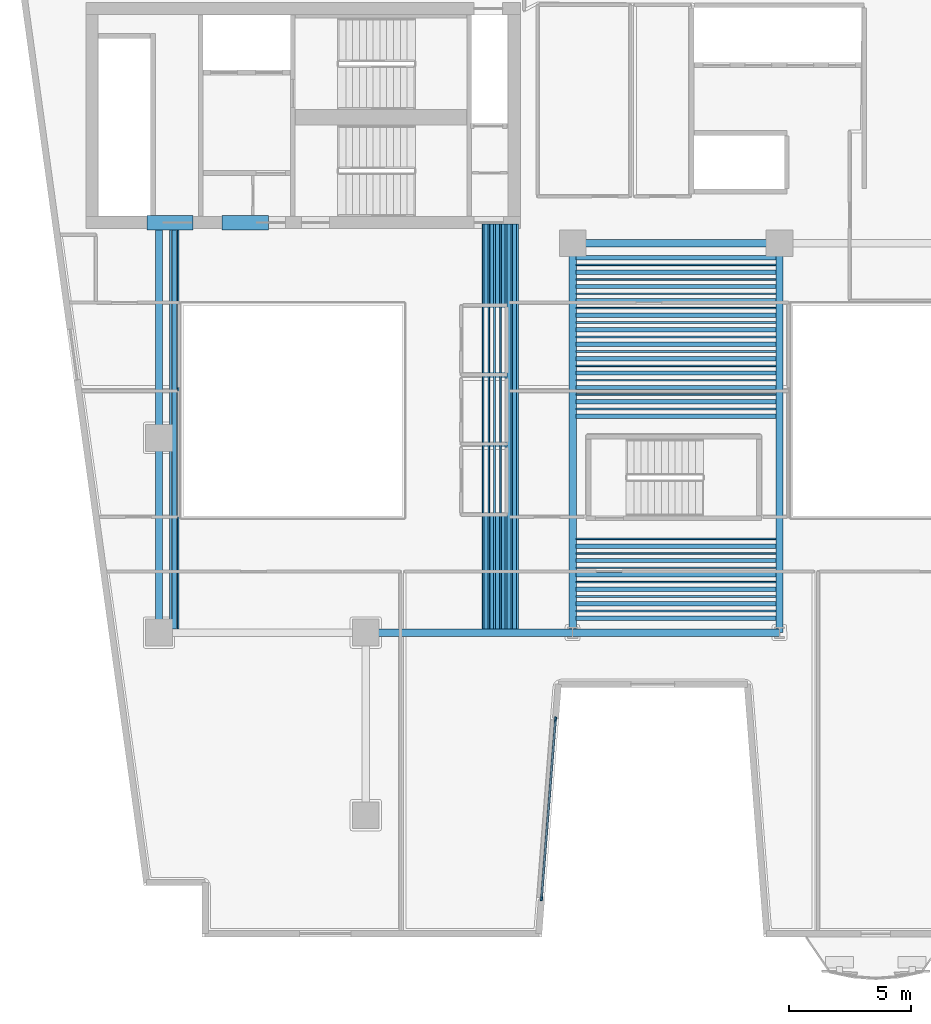
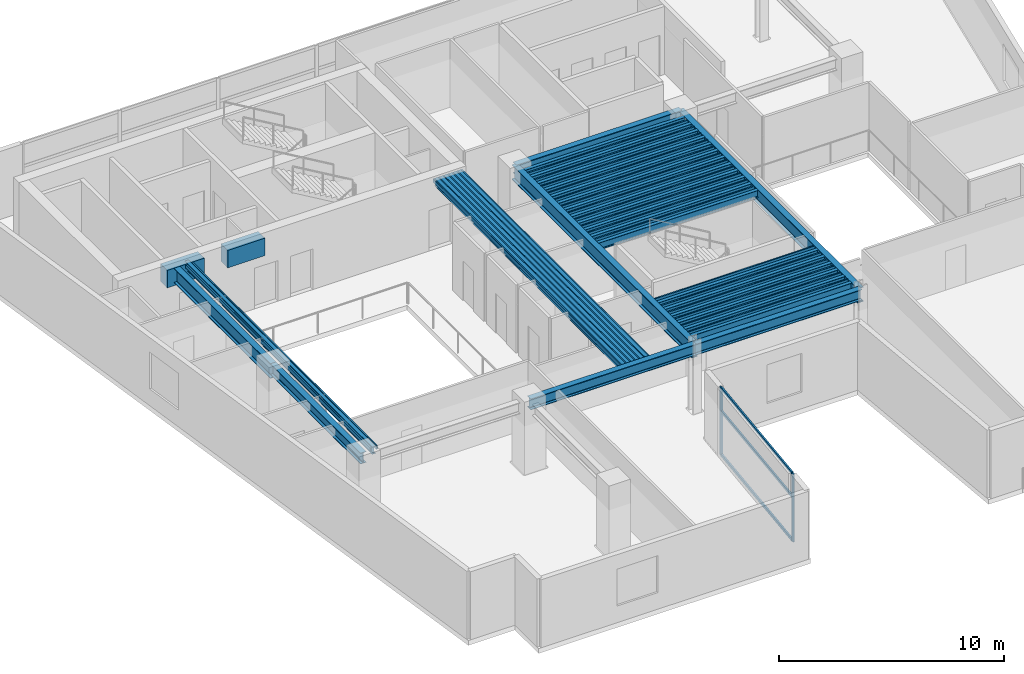
# One storey, part 2 of 13: 60 beams, 5 members, 1 element without a shape of its own.
"""IFC4 building model written with IfcOpenShell, lengths in metres."""

from ifc_helpers import new_model, si_unit, direction, frame, origin, origin_2d, place, context, subcontext, project, spatial, rectangle, hollow_rectangle, i_section, extrude, material, layer, layer_set, material_profile, profile_set, type_object, element, aggregate, save


model = new_model("IFC4")

# Units and contexts
model_context = context("Model", 3, precision=1e-05, world=origin(), true_north=direction((0.0, 1.0)))
body_context = subcontext(model_context, "Body", "Model", "MODEL_VIEW")
ifc_project = project(units=[si_unit("LENGTHUNIT", "METRE"), si_unit("AREAUNIT", "SQUARE_METRE"), si_unit("VOLUMEUNIT", "CUBIC_METRE"), si_unit("PLANEANGLEUNIT", "RADIAN"), si_unit("MASSUNIT", "GRAM", prefix="KILO")], contexts=[model_context])

# Site, building, storey
site_placement = place(None, origin())
site = spatial("IfcSite", under=ifc_project, at=site_placement, CompositionType="ELEMENT")
building_placement = place(site_placement, origin())
building = spatial("IfcBuilding", under=site, at=building_placement, Name="Caeloran Harvest Quay", CompositionType="ELEMENT")
storey_placement = place(building_placement, frame((0.0, 0.0, 135.10009765625)))
storey = spatial("IfcBuildingStorey", under=building, at=storey_placement, Name="L31", CompositionType="ELEMENT", Elevation=135.10009765625)

# Beams
ifc_material_1 = material(Name="Concrete C60/75", Category="concrete")
ifc_material_profile_1 = material_profile(ifc_material_1, rectangle(XDim=0.60009765625, YDim=0.949951171875, at=origin_2d()), Name="RC 600x950")
ifc_profile_set_1 = profile_set([ifc_material_profile_1], Name="Concrete C60/75")
beam_type_1 = type_object("IfcBeamType", Name="BM-CB-2-RC_600x950", PredefinedType="LINTEL", material=ifc_profile_set_1)
for number, where, z_axis, x_axis, name in (
    (1, (8.0, 31.85009765625, 3.21484375), (1.0, 0.0, 0.0), (0.0, 1.0, 0.0), "L31 Core Coupling Beam 1"),
    (2, (11.10009765625, 31.85009765625, 3.21484375), (1.0, 0.0, 0.0), (0.0, 1.0, 0.0), "L31 Core Coupling Beam 2"),
):
    element("IfcBeam", number, at=place(storey_placement, frame(where, z_axis=z_axis, x_axis=x_axis)), inside=storey, type_object=beam_type_1, Name=name, PredefinedType="LINTEL", context=body_context, shape_type="SweptSolid", body=[
        extrude(rectangle(XDim=0.60009765625, YDim=0.949951171875, at=origin_2d()), origin(), (0.0, 0.0, 1.0), 1.89990234375),
    ])
ifc_material_2 = material(Name="Steel S355J2", Category="steel")
ifc_material_profile_2 = material_profile(ifc_material_2, i_section(OverallWidth=0.300048828125, OverallDepth=0.800048828125, WebThickness=0.017578125, FlangeThickness=0.032958984375, FilletRadius=0.030029296875, at=origin_2d()), Name="HE 800 B")
ifc_profile_set_2 = profile_set([ifc_material_profile_2], Name="Steel S355J2")
beam_type_2 = type_object("IfcBeamType", Name="BM-PG-1-HE_800_B", PredefinedType="BEAM", material=ifc_profile_set_2)
beam_1_placement = place(storey_placement, frame((8.5, 23.0, 3.289794921875), z_axis=(0.0, 1.0, 0.0), x_axis=(-1.0, 0.0, 0.0)))
element("IfcBeam", 3, at=beam_1_placement, inside=storey, type_object=beam_type_2, Name="L31 Core South Tie Girder X=8.5", PredefinedType="BEAM", context=body_context, shape_type="SweptSolid", body=[
    extrude(i_section(OverallWidth=0.300048828125, OverallDepth=0.800048828125, WebThickness=0.017578125, FlangeThickness=0.032958984375, FilletRadius=0.030029296875, at=origin_2d()), origin(), (0.0, 0.0, 1.0), 8.800048828125),
])
for number, where, z_axis, x_axis, name in (
    (4, (25.5, 15.0, 3.289794921875), (0.0, 1.0, 0.0), (-1.0, 0.0, 0.0), "L31 Primary North-South Girder X=25.5"),
    (5, (34.0, 15.0, 3.289794921875), (0.0, 1.0, 0.0), (-1.0, 0.0, 0.0), "L31 Primary North-South Girder X=34.0"),
):
    element("IfcBeam", number, at=place(storey_placement, frame(where, z_axis=z_axis, x_axis=x_axis)), inside=storey, type_object=beam_type_2, Name=name, PredefinedType="BEAM", context=body_context, shape_type="SweptSolid", body=[
        extrude(i_section(OverallWidth=0.300048828125, OverallDepth=0.800048828125, WebThickness=0.017578125, FlangeThickness=0.032958984375, FilletRadius=0.030029296875, at=origin_2d()), origin(), (0.0, 0.0, 1.0), 16.0),
    ])
ifc_material_profile_3 = material_profile(ifc_material_2, i_section(OverallWidth=0.300048828125, OverallDepth=0.60009765625, WebThickness=0.015380859375, FlangeThickness=0.030029296875, FilletRadius=0.027099609375, at=origin_2d()), Name="HE 600 B")
ifc_profile_set_3 = profile_set([ifc_material_profile_3], Name="Steel S355J2")
beam_type_3 = type_object("IfcBeamType", Name="BM-PG-3-HE_600_B", PredefinedType="BEAM", material=ifc_profile_set_3)
for number, where, z_axis, x_axis, name in (
    (6, (17.0, 15.0, 3.389892578125), (1.0, 0.0, 0.0), (0.0, 1.0, 0.0), "L31 Primary East-West Girder Y=15.0"),
    (7, (25.5, 15.0, 3.389892578125), (1.0, 0.0, 0.0), (0.0, 1.0, 0.0), "L31 Primary East-West Girder Y=15.0"),
    (8, (25.5, 31.0, 3.389892578125), (1.0, 0.0, 0.0), (0.0, 1.0, 0.0), "L31 Primary East-West Girder Y=31.0"),
):
    element("IfcBeam", number, at=place(storey_placement, frame(where, z_axis=z_axis, x_axis=x_axis)), inside=storey, type_object=beam_type_3, Name=name, PredefinedType="BEAM", context=body_context, shape_type="SweptSolid", body=[
        extrude(i_section(OverallWidth=0.300048828125, OverallDepth=0.60009765625, WebThickness=0.015380859375, FlangeThickness=0.030029296875, FilletRadius=0.027099609375, at=origin_2d()), origin(), (0.0, 0.0, 1.0), 8.5),
    ])
beam_2_placement = place(storey_placement, frame((8.5, 15.0, 3.389892578125), z_axis=(0.0, 1.0, 0.0), x_axis=(-1.0, 0.0, 0.0)))
element("IfcBeam", 9, at=beam_2_placement, inside=storey, type_object=beam_type_3, Name="L31 Primary North-South Girder X=8.5", PredefinedType="BEAM", context=body_context, shape_type="SweptSolid", body=[
    extrude(i_section(OverallWidth=0.300048828125, OverallDepth=0.60009765625, WebThickness=0.015380859375, FlangeThickness=0.030029296875, FilletRadius=0.027099609375, at=origin_2d()), origin(), (0.0, 0.0, 1.0), 8.0),
])
ifc_material_profile_4 = material_profile(ifc_material_2, i_section(OverallWidth=0.179931640625, OverallDepth=0.39990234375, WebThickness=0.008544921875, FlangeThickness=0.013427734375, FilletRadius=0.02099609375, at=origin_2d()), Name="IPE 400")
ifc_profile_set_4 = profile_set([ifc_material_profile_4], Name="Steel S355J2")
beam_type_4 = type_object("IfcBeamType", Name="BM-SB-4-IPE_400", PredefinedType="JOIST", material=ifc_profile_set_4)
for number, where, z_axis, x_axis, name in (
    (10, (9.129638671875, 15.14501953125, 3.489990234375), (0.0, 1.0, 0.0), (-1.0, 0.0, 0.0), "L31 Secondary Composite Joist"),
    (11, (21.93896484375, 15.14501953125, 3.489990234375), (0.0, 1.0, 0.0), (-1.0, 0.0, 0.0), "L31 Secondary Composite Joist"),
    (12, (22.174072265625, 15.14501953125, 3.489990234375), (0.0, 1.0, 0.0), (-1.0, 0.0, 0.0), "L31 Secondary Composite Joist"),
    (13, (22.4091796875, 15.14501953125, 3.489990234375), (0.0, 1.0, 0.0), (-1.0, 0.0, 0.0), "L31 Secondary Composite Joist"),
    (14, (22.644287109375, 15.14501953125, 3.489990234375), (0.0, 1.0, 0.0), (-1.0, 0.0, 0.0), "L31 Secondary Composite Joist"),
    (15, (22.879638671875, 15.14501953125, 3.489990234375), (0.0, 1.0, 0.0), (-1.0, 0.0, 0.0), "L31 Secondary Composite Joist"),
    (16, (23.11474609375, 15.14501953125, 3.489990234375), (0.0, 1.0, 0.0), (-1.0, 0.0, 0.0), "L31 Secondary Composite Joist"),
):
    element("IfcBeam", number, at=place(storey_placement, frame(where, z_axis=z_axis, x_axis=x_axis)), inside=storey, type_object=beam_type_4, Name=name, PredefinedType="JOIST", context=body_context, shape_type="SweptSolid", body=[
        extrude(i_section(OverallWidth=0.179931640625, OverallDepth=0.39990234375, WebThickness=0.008544921875, FlangeThickness=0.013427734375, FilletRadius=0.02099609375, at=origin_2d()), origin(), (0.0, 0.0, 1.0), 16.655029296875),
    ])
for number, where, z_axis, x_axis, name in (
    (17, (25.64501953125, 15.592529296875, 3.489990234375), (1.0, 0.0, 0.0), (0.0, 1.0, 0.0), "L31 Secondary East-West Composite Joist"),
    (18, (25.64501953125, 16.185302734375, 3.489990234375), (1.0, 0.0, 0.0), (0.0, 1.0, 0.0), "L31 Secondary East-West Composite Joist"),
    (19, (25.64501953125, 16.77783203125, 3.489990234375), (1.0, 0.0, 0.0), (0.0, 1.0, 0.0), "L31 Secondary East-West Composite Joist"),
    (20, (25.64501953125, 17.370361328125, 3.489990234375), (1.0, 0.0, 0.0), (0.0, 1.0, 0.0), "L31 Secondary East-West Composite Joist"),
    (21, (25.64501953125, 17.962890625, 3.489990234375), (1.0, 0.0, 0.0), (0.0, 1.0, 0.0), "L31 Secondary East-West Composite Joist"),
    (22, (25.64501953125, 18.5556640625, 3.489990234375), (1.0, 0.0, 0.0), (0.0, 1.0, 0.0), "L31 Secondary East-West Composite Joist"),
    (23, (25.64501953125, 23.888916015625, 3.489990234375), (1.0, 0.0, 0.0), (0.0, 1.0, 0.0), "L31 Secondary East-West Composite Joist"),
    (24, (25.64501953125, 24.4814453125, 3.489990234375), (1.0, 0.0, 0.0), (0.0, 1.0, 0.0), "L31 Secondary East-West Composite Joist"),
    (25, (25.64501953125, 25.07421875, 3.489990234375), (1.0, 0.0, 0.0), (0.0, 1.0, 0.0), "L31 Secondary East-West Composite Joist"),
    (26, (25.64501953125, 25.666748046875, 3.489990234375), (1.0, 0.0, 0.0), (0.0, 1.0, 0.0), "L31 Secondary East-West Composite Joist"),
    (27, (25.64501953125, 26.25927734375, 3.489990234375), (1.0, 0.0, 0.0), (0.0, 1.0, 0.0), "L31 Secondary East-West Composite Joist"),
    (28, (25.64501953125, 26.851806640625, 3.489990234375), (1.0, 0.0, 0.0), (0.0, 1.0, 0.0), "L31 Secondary East-West Composite Joist"),
    (29, (25.64501953125, 27.4443359375, 3.489990234375), (1.0, 0.0, 0.0), (0.0, 1.0, 0.0), "L31 Secondary East-West Composite Joist"),
    (30, (25.64501953125, 28.037109375, 3.489990234375), (1.0, 0.0, 0.0), (0.0, 1.0, 0.0), "L31 Secondary East-West Composite Joist"),
    (31, (25.64501953125, 28.629638671875, 3.489990234375), (1.0, 0.0, 0.0), (0.0, 1.0, 0.0), "L31 Secondary East-West Composite Joist"),
    (32, (25.64501953125, 29.22216796875, 3.489990234375), (1.0, 0.0, 0.0), (0.0, 1.0, 0.0), "L31 Secondary East-West Composite Joist"),
    (33, (25.64501953125, 29.814697265625, 3.489990234375), (1.0, 0.0, 0.0), (0.0, 1.0, 0.0), "L31 Secondary East-West Composite Joist"),
    (34, (25.64501953125, 30.407470703125, 3.489990234375), (1.0, 0.0, 0.0), (0.0, 1.0, 0.0), "L31 Secondary East-West Composite Joist"),
):
    element("IfcBeam", number, at=place(storey_placement, frame(where, z_axis=z_axis, x_axis=x_axis)), inside=storey, type_object=beam_type_4, Name=name, PredefinedType="JOIST", context=body_context, shape_type="SweptSolid", body=[
        extrude(i_section(OverallWidth=0.179931640625, OverallDepth=0.39990234375, WebThickness=0.008544921875, FlangeThickness=0.013427734375, FilletRadius=0.02099609375, at=origin_2d()), origin(), (0.0, 0.0, 1.0), 8.2099609375),
    ])
ifc_material_profile_5 = material_profile(ifc_material_2, hollow_rectangle(XDim=0.080078125, YDim=0.199951171875, WallThickness=0.006103515625, InnerFilletRadius=0.006103515625, OuterFilletRadius=0.009033203125, at=origin_2d()), Name="RHS 200x80x6")
ifc_profile_set_5 = profile_set([ifc_material_profile_5], Name="Steel S355J2")
beam_type_5 = type_object("IfcBeamType", Name="BM-SB-7-RHS_200x80x6", PredefinedType="JOIST", material=ifc_profile_set_5)
for number, where, z_axis, x_axis, name in (
    (35, (8.97216796875, 15.14501953125, 3.58984375), (0.0, 1.0, 0.0), (-1.0, 0.0, 0.0), "L31 Secondary Composite Joist"),
    (36, (9.287109375, 15.14501953125, 3.58984375), (0.0, 1.0, 0.0), (-1.0, 0.0, 0.0), "L31 Secondary Composite Joist"),
    (37, (21.8212890625, 15.14501953125, 3.58984375), (0.0, 1.0, 0.0), (-1.0, 0.0, 0.0), "L31 Secondary Composite Joist"),
    (38, (22.056396484375, 15.14501953125, 3.58984375), (0.0, 1.0, 0.0), (-1.0, 0.0, 0.0), "L31 Secondary Composite Joist"),
    (39, (22.291748046875, 15.14501953125, 3.58984375), (0.0, 1.0, 0.0), (-1.0, 0.0, 0.0), "L31 Secondary Composite Joist"),
    (40, (22.52685546875, 15.14501953125, 3.58984375), (0.0, 1.0, 0.0), (-1.0, 0.0, 0.0), "L31 Secondary Composite Joist"),
    (41, (22.761962890625, 15.14501953125, 3.58984375), (0.0, 1.0, 0.0), (-1.0, 0.0, 0.0), "L31 Secondary Composite Joist"),
    (42, (22.997314453125, 15.14501953125, 3.58984375), (0.0, 1.0, 0.0), (-1.0, 0.0, 0.0), "L31 Secondary Composite Joist"),
    (43, (23.232421875, 15.14501953125, 3.58984375), (0.0, 1.0, 0.0), (-1.0, 0.0, 0.0), "L31 Secondary Composite Joist"),
):
    element("IfcBeam", number, at=place(storey_placement, frame(where, z_axis=z_axis, x_axis=x_axis)), inside=storey, type_object=beam_type_5, Name=name, PredefinedType="JOIST", context=body_context, shape_type="SweptSolid", body=[
        extrude(hollow_rectangle(XDim=0.080078125, YDim=0.199951171875, WallThickness=0.006103515625, InnerFilletRadius=0.006103515625, OuterFilletRadius=0.009033203125, at=origin_2d()), origin(), (0.0, 0.0, 1.0), 16.655029296875),
    ])
for number, where, z_axis, x_axis, name in (
    (44, (25.64501953125, 15.888916015625, 3.58984375), (1.0, 0.0, 0.0), (0.0, 1.0, 0.0), "L31 Secondary East-West Composite Joist"),
    (45, (25.64501953125, 16.4814453125, 3.58984375), (1.0, 0.0, 0.0), (0.0, 1.0, 0.0), "L31 Secondary East-West Composite Joist"),
    (46, (25.64501953125, 17.07421875, 3.58984375), (1.0, 0.0, 0.0), (0.0, 1.0, 0.0), "L31 Secondary East-West Composite Joist"),
    (47, (25.64501953125, 17.666748046875, 3.58984375), (1.0, 0.0, 0.0), (0.0, 1.0, 0.0), "L31 Secondary East-West Composite Joist"),
    (48, (25.64501953125, 18.25927734375, 3.58984375), (1.0, 0.0, 0.0), (0.0, 1.0, 0.0), "L31 Secondary East-West Composite Joist"),
    (49, (25.64501953125, 18.851806640625, 3.58984375), (1.0, 0.0, 0.0), (0.0, 1.0, 0.0), "L31 Secondary East-West Composite Joist"),
    (50, (25.64501953125, 24.185302734375, 3.58984375), (1.0, 0.0, 0.0), (0.0, 1.0, 0.0), "L31 Secondary East-West Composite Joist"),
    (51, (25.64501953125, 24.77783203125, 3.58984375), (1.0, 0.0, 0.0), (0.0, 1.0, 0.0), "L31 Secondary East-West Composite Joist"),
    (52, (25.64501953125, 25.370361328125, 3.58984375), (1.0, 0.0, 0.0), (0.0, 1.0, 0.0), "L31 Secondary East-West Composite Joist"),
    (53, (25.64501953125, 25.962890625, 3.58984375), (1.0, 0.0, 0.0), (0.0, 1.0, 0.0), "L31 Secondary East-West Composite Joist"),
    (54, (25.64501953125, 26.5556640625, 3.58984375), (1.0, 0.0, 0.0), (0.0, 1.0, 0.0), "L31 Secondary East-West Composite Joist"),
    (55, (25.64501953125, 27.148193359375, 3.58984375), (1.0, 0.0, 0.0), (0.0, 1.0, 0.0), "L31 Secondary East-West Composite Joist"),
    (56, (25.64501953125, 27.74072265625, 3.58984375), (1.0, 0.0, 0.0), (0.0, 1.0, 0.0), "L31 Secondary East-West Composite Joist"),
    (57, (25.64501953125, 28.333251953125, 3.58984375), (1.0, 0.0, 0.0), (0.0, 1.0, 0.0), "L31 Secondary East-West Composite Joist"),
    (58, (25.64501953125, 28.92578125, 3.58984375), (1.0, 0.0, 0.0), (0.0, 1.0, 0.0), "L31 Secondary East-West Composite Joist"),
    (59, (25.64501953125, 29.5185546875, 3.58984375), (1.0, 0.0, 0.0), (0.0, 1.0, 0.0), "L31 Secondary East-West Composite Joist"),
    (60, (25.64501953125, 30.111083984375, 3.58984375), (1.0, 0.0, 0.0), (0.0, 1.0, 0.0), "L31 Secondary East-West Composite Joist"),
):
    element("IfcBeam", number, at=place(storey_placement, frame(where, z_axis=z_axis, x_axis=x_axis)), inside=storey, type_object=beam_type_5, Name=name, PredefinedType="JOIST", context=body_context, shape_type="SweptSolid", body=[
        extrude(hollow_rectangle(XDim=0.080078125, YDim=0.199951171875, WallThickness=0.006103515625, InnerFilletRadius=0.006103515625, OuterFilletRadius=0.009033203125, at=origin_2d()), origin(), (0.0, 0.0, 1.0), 8.2099609375),
    ])

# Curtain wall, members
ifc_material_3 = material(Name="Aluminium 6063-T6 and Low-E Glazing", Category="aluminium")
ifc_layer = layer(ifc_material_3, 0.18994140625, Name="Aluminium 6063-T6 and Low-E Glazing")
ifc_layer_set = layer_set([ifc_layer], Name="Aluminium 6063-T6 and Low-E Glazing")
curtain_wall_type = type_object("IfcCurtainWallType", Name="CW-SYS-CW-3", PredefinedType="USERDEFINED", material=ifc_layer_set)
curtain_wall_placement = place(storey_placement, origin())
curtain_wall = element("IfcCurtainWall", 61, at=curtain_wall_placement, inside=storey, type_object=curtain_wall_type, Name="L31 Unitised Curtain Wall CW-3 Run 15", ObjectType="CURTAIN_WALL", PredefinedType="USERDEFINED")
ifc_material_4 = material(Name="Aluminium 6063-T6", Category="aluminium")
ifc_material_profile_6 = material_profile(ifc_material_4, rectangle(XDim=0.080078125, YDim=0.179931640625, at=origin_2d()), Name="CW-MULLION-180")
ifc_profile_set_6 = profile_set([ifc_material_profile_6], Name="Aluminium 6063-T6")
member_type_1 = type_object("IfcMemberType", Name="CW-MULLION-180", PredefinedType="MULLION", material=ifc_profile_set_6)
member_1_placement = place(storey_placement, frame((24.7978515625, 11.4443359375, 0.0), z_axis=(0.0, 0.0, 1.0), x_axis=(0.996967280277, -0.077821861046, 0.0)))
member_1 = element("IfcMember", 62, at=member_1_placement, type_object=member_type_1, Name="CW-3 mullion 1", PredefinedType="MULLION", context=body_context, shape_type="SweptSolid", body=[
    extrude(rectangle(XDim=0.080078125, YDim=0.179931640625, at=origin_2d()), origin(), (0.0, 0.0, 1.0), 3.68994140625),
])
member_2_placement = place(storey_placement, frame((24.221923828125, 4.065673828125, 0.0), z_axis=(0.0, 0.0, 1.0), x_axis=(0.996967280277, -0.077821861046, 0.0)))
member_2 = element("IfcMember", 63, at=member_2_placement, type_object=member_type_1, Name="CW-3 mullion 2", PredefinedType="MULLION", context=body_context, shape_type="SweptSolid", body=[
    extrude(rectangle(XDim=0.080078125, YDim=0.179931640625, at=origin_2d()), origin(), (0.0, 0.0, 1.0), 3.68994140625),
])
ifc_material_profile_7 = material_profile(ifc_material_4, rectangle(XDim=0.080078125, YDim=0.14990234375, at=origin_2d()), Name="CW-TRANSOM-150")
ifc_profile_set_7 = profile_set([ifc_material_profile_7], Name="Aluminium 6063-T6")
member_type_2 = type_object("IfcMemberType", Name="CW-TRANSOM-150", PredefinedType="USERDEFINED", material=ifc_profile_set_7)
member_3_placement = place(storey_placement, frame((24.794677734375, 11.404541015625, 0.039794921875), z_axis=(-0.077831218093, -0.996966549835, 0.0), x_axis=(0.996966549835, -0.077831218093, 0.0)))
member_3 = element("IfcMember", 64, at=member_3_placement, type_object=member_type_2, Name="CW-3 transom 1.1", ObjectType="TRANSOM", PredefinedType="USERDEFINED", context=body_context, shape_type="SweptSolid", body=[
    extrude(rectangle(XDim=0.080078125, YDim=0.14990234375, at=origin_2d()), origin(), (0.0, 0.0, 1.0), 7.3212890625),
])
member_4_placement = place(storey_placement, frame((24.794677734375, 11.404541015625, 2.39990234375), z_axis=(-0.077831218093, -0.996966549835, 0.0), x_axis=(0.996966549835, -0.077831218093, 0.0)))
member_4 = element("IfcMember", 65, at=member_4_placement, type_object=member_type_2, Name="CW-3 transom 1.2", ObjectType="TRANSOM", PredefinedType="USERDEFINED", context=body_context, shape_type="SweptSolid", body=[
    extrude(rectangle(XDim=0.080078125, YDim=0.14990234375, at=origin_2d()), origin(), (0.0, 0.0, 1.0), 7.3212890625),
])
member_5_placement = place(storey_placement, frame((24.794677734375, 11.404541015625, 3.64990234375), z_axis=(-0.077831218093, -0.996966549835, 0.0), x_axis=(0.996966549835, -0.077831218093, 0.0)))
member_5 = element("IfcMember", 66, at=member_5_placement, type_object=member_type_2, Name="CW-3 transom 1.3", ObjectType="TRANSOM", PredefinedType="USERDEFINED", context=body_context, shape_type="SweptSolid", body=[
    extrude(rectangle(XDim=0.080078125, YDim=0.14990234375, at=origin_2d()), origin(), (0.0, 0.0, 1.0), 7.3212890625),
])
aggregate(curtain_wall, [member_1, member_2, member_3, member_4, member_5])

save(model, "model.ifc")
